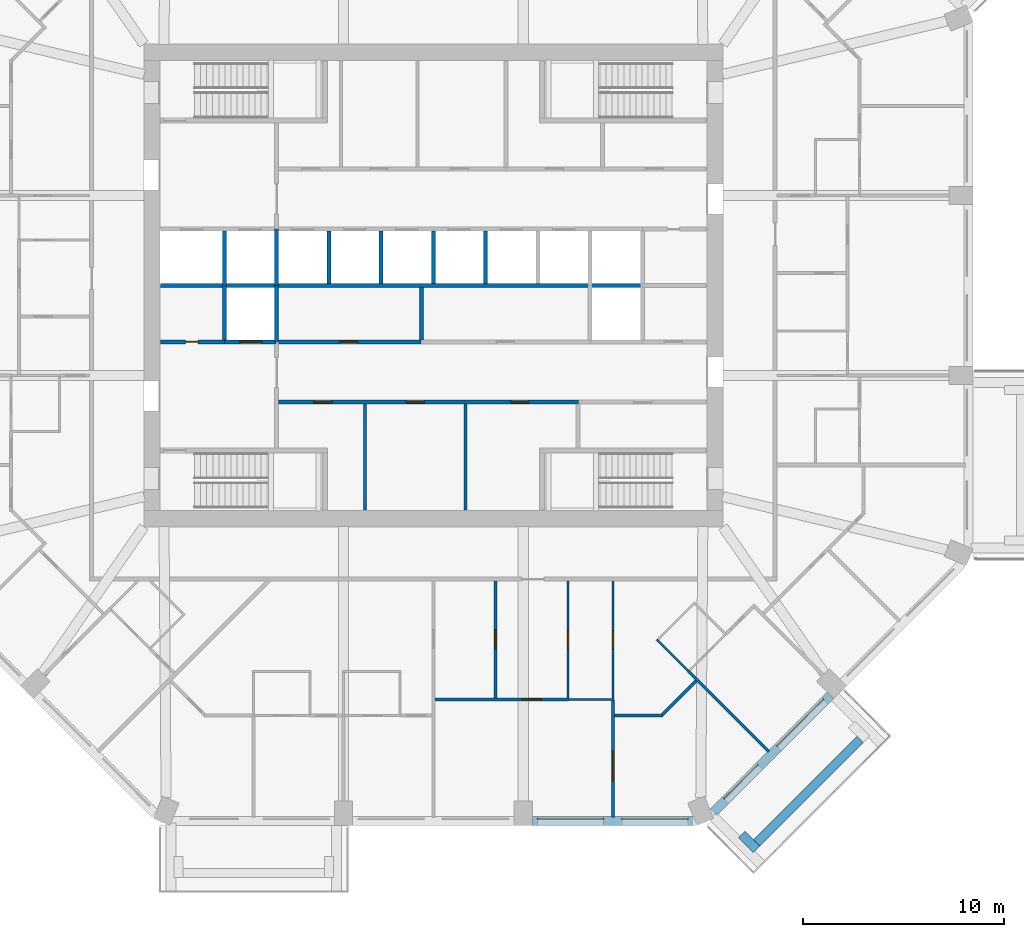
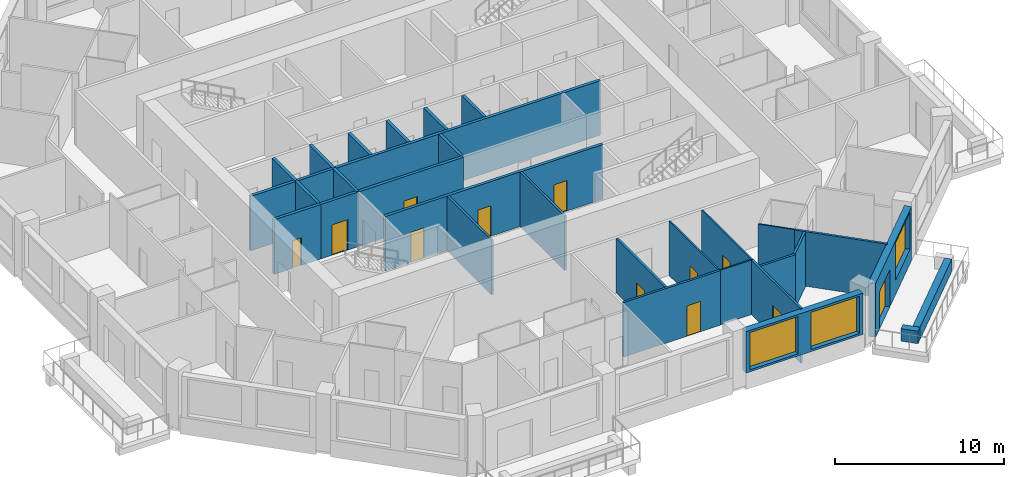
# One storey, part 5 of 12: 30 walls, 12 doors, 3 windows, 15 openings.
"""IFC4 building model written with IfcOpenShell, lengths in metres."""

from ifc_helpers import new_model, si_unit, direction, frame, frame_2d, origin, place, context, subcontext, project, spatial, rectangle, extrude, material, layer, layer_set, type_object, element, fill, save


model = new_model("IFC4")

# Units and contexts
model_context = context("Model", 3, precision=1e-05, world=origin(), true_north=direction((0.0, 1.0)))
body_context = subcontext(model_context, "Body", "Model", "MODEL_VIEW")
ifc_project = project(units=[si_unit("LENGTHUNIT", "METRE"), si_unit("AREAUNIT", "SQUARE_METRE"), si_unit("VOLUMEUNIT", "CUBIC_METRE"), si_unit("PLANEANGLEUNIT", "RADIAN"), si_unit("MASSUNIT", "GRAM", prefix="KILO")], contexts=[model_context])

# Site, building, storey
site_placement = place(None, origin())
site = spatial("IfcSite", under=ifc_project, at=site_placement, CompositionType="ELEMENT")
building_placement = place(site_placement, origin())
building = spatial("IfcBuilding", under=site, at=building_placement, Name="Msitu Wima Residences", CompositionType="ELEMENT")
storey_placement = place(building_placement, frame((0.0, 0.0, 127.5)))
storey = spatial("IfcBuildingStorey", under=building, at=storey_placement, Name="L29", CompositionType="ELEMENT", Elevation=127.5)

# Walls
ifc_material_1 = material(Name="Facing brick")
ifc_layer_1 = layer(ifc_material_1, 0.06494140625, Name="Facing brick")
ifc_material_2 = material(Name="Concrete C40/50", Category="concrete")
ifc_layer_2 = layer(ifc_material_2, 0.156005859375, Name="Concrete C40/50")
ifc_material_3 = material(Name="Waterproofing membrane")
ifc_layer_3 = layer(ifc_material_3, 0.00390625, Name="Waterproofing membrane")
ifc_material_4 = material(Name="Planting soil and planting")
ifc_layer_4 = layer(ifc_material_4, 0.22509765625, Name="Planting soil and planting")
ifc_layer_set_1 = layer_set([ifc_layer_1, ifc_layer_2, ifc_layer_3, ifc_layer_4], Name="Concrete C40/50")
wall_type_1 = type_object("IfcWallType", Name="Balcony planter PLANTER PL450", PredefinedType="USERDEFINED", material=ifc_layer_set_1)
wall_1_placement = place(storey_placement, frame((16.0751953125, -27.725830078125, 0.0), z_axis=(0.0, 0.0, 1.0), x_axis=(0.707106781187, 0.707106781187, 0.0)))
element("IfcWall", 1, at=wall_1_placement, inside=storey, type_object=wall_type_1, Name="Balcony planter SE0 L29", ObjectType="PLANTER", PredefinedType="USERDEFINED", context=body_context, shape_type="SweptSolid", body=[
    extrude(rectangle(XDim=7.288330078125, YDim=0.449951171875, at=frame_2d((3.64404296875, 0.0))), origin(), (0.0, 0.0, 1.0), 0.89990234375),
])
wall_2_placement = place(storey_placement, frame((15.332763671875, -27.301513671875, 0.0), z_axis=(0.0, 0.0, 1.0), x_axis=(0.707106781187, -0.707106781187, 0.0)))
element("IfcWall", 2, at=wall_2_placement, inside=storey, type_object=wall_type_1, Name="Balcony planter SE0 L29", ObjectType="PLANTER", PredefinedType="USERDEFINED", context=body_context, shape_type="SweptSolid", body=[
    extrude(rectangle(XDim=1.050048828125, YDim=0.449951171875, at=frame_2d((0.52490234375, 0.0))), origin(), (0.0, 0.0, 1.0), 0.89990234375),
])

# Wall, openings, windows
ifc_material_5 = material(Name="Brick (red buff mix)", Category="masonry")
ifc_layer_5 = layer(ifc_material_5, 0.449951171875)
ifc_layer_set_2 = layer_set([ifc_layer_5], Name="Brick (red buff mix)")
wall_type_2 = type_object("IfcWallType", Name="Brick infill wall BW450", PredefinedType="SOLIDWALL", material=ifc_layer_set_2)
wall_3_placement = place(storey_placement, frame((4.918701171875, -26.625, 0.89990234375), z_axis=(0.0, 0.0, 1.0), x_axis=(1.0, 0.0, 0.0)))
wall_3 = element("IfcWall", 3, at=wall_3_placement, inside=storey, type_object=wall_type_2, Name="Brick infill wall L29 S2", PredefinedType="SOLIDWALL", context=body_context, shape_type="SweptSolid", body=[
    extrude(rectangle(XDim=8.0, YDim=0.449951171875, at=frame_2d((4.0, 0.0))), origin(), (0.0, 0.0, 1.0), 3.0),
])
opening_1_placement = place(wall_3_placement, frame((0.25, 0.0, 0.14990234375)))
opening_1 = element("IfcOpeningElement", 4, at=opening_1_placement, cuts=wall_3, Name="Opening W27-29.020", PredefinedType="OPENING", context=body_context, shape_type="SweptSolid", body=[
    extrude(rectangle(XDim=3.300048828125, YDim=2.699951171875, at=frame_2d((1.64990234375, 1.35009765625))), frame((0.0, 0.23486328125, 0.0), z_axis=(0.0, -1.0, 0.0), x_axis=(1.0, 0.0, 0.0)), (0.0, 0.0, 1.0), 0.469970703125),
])
opening_2_placement = place(wall_3_placement, frame((4.4501953125, 0.0, 0.14990234375)))
opening_2 = element("IfcOpeningElement", 5, at=opening_2_placement, cuts=wall_3, Name="Opening W27-29.021", PredefinedType="OPENING", context=body_context, shape_type="SweptSolid", body=[
    extrude(rectangle(XDim=3.300048828125, YDim=2.699951171875, at=frame_2d((1.64990234375, 1.35009765625))), frame((0.0, 0.23486328125, 0.0), z_axis=(0.0, -1.0, 0.0), x_axis=(1.0, 0.0, 0.0)), (0.0, 0.0, 1.0), 0.469970703125),
])
ifc_material_6 = material(Name="Anodised aluminium, bronze finish, clear low-emissivity double glazing", Category="aluminium")
window_type = type_object("IfcWindowType", Name="Window W3300x2700", PartitioningType="DOUBLE_PANEL_VERTICAL", PredefinedType="WINDOW", material=ifc_material_6)
window_1_placement = place(opening_1_placement, origin())
window_1 = element("IfcWindow", 6, at=window_1_placement, inside=storey, type_object=window_type, Name="Window L29 S2.1", OverallHeight=2.699951171875, OverallWidth=3.300048828125, PartitioningType="SINGLE_PANEL", PredefinedType="WINDOW", context=body_context, shape_type="SweptSolid", body=[
    extrude(rectangle(XDim=3.300048828125, YDim=2.699951171875, at=frame_2d((1.64990234375, 1.35009765625))), frame((0.0, 0.135009765625, 0.0), z_axis=(0.0, -1.0, 0.0), x_axis=(1.0, 0.0, 0.0)), (0.0, 0.0, 1.0), 0.06005859375),
])
fill(opening_1, window_1)
window_2_placement = place(opening_2_placement, origin())
window_2 = element("IfcWindow", 7, at=window_2_placement, inside=storey, type_object=window_type, Name="Window L29 S2.2", OverallHeight=2.699951171875, OverallWidth=3.300048828125, PartitioningType="SINGLE_PANEL", PredefinedType="WINDOW", context=body_context, shape_type="SweptSolid", body=[
    extrude(rectangle(XDim=3.300048828125, YDim=2.699951171875, at=frame_2d((1.64990234375, 1.35009765625))), frame((0.0, 0.135009765625, 0.0), z_axis=(0.0, -1.0, 0.0), x_axis=(1.0, 0.0, 0.0)), (0.0, 0.0, 1.0), 0.06005859375),
])
fill(opening_2, window_2)

# Wall, openings, door, window
wall_4_placement = place(storey_placement, frame((13.909423828125, -26.214599609375, 0.0), z_axis=(0.0, 0.0, 1.0), x_axis=(0.707106781187, 0.707106781187, 0.0)))
wall_4 = element("IfcWall", 8, at=wall_4_placement, inside=storey, type_object=wall_type_2, Name="Brick infill wall L29 SE0", PredefinedType="SOLIDWALL", context=body_context, shape_type="SweptSolid", body=[
    extrude(rectangle(XDim=8.251220703125, YDim=0.449951171875, at=frame_2d((4.12548828125, 0.0))), origin(), (0.0, 0.0, 1.0), 3.89990234375),
])
opening_3_placement = place(wall_4_placement, frame((0.86279296875, 0.0, 0.0)))
opening_3 = element("IfcOpeningElement", 9, at=opening_3_placement, cuts=wall_4, Name="Opening D27-29.006", PredefinedType="OPENING", context=body_context, shape_type="SweptSolid", body=[
    extrude(rectangle(XDim=2.39990234375, YDim=2.699951171875, at=frame_2d((1.199951171875, 1.35009765625))), frame((0.0, 0.23486328125, 0.0), z_axis=(0.0, -1.0, 0.0), x_axis=(1.0, 0.0, 0.0)), (0.0, 0.0, 1.0), 0.469970703125),
])
opening_4_placement = place(wall_4_placement, frame((4.57568359375, 0.0, 1.050048828125)))
opening_4 = element("IfcOpeningElement", 10, at=opening_4_placement, cuts=wall_4, Name="Opening W27-29.022", PredefinedType="OPENING", context=body_context, shape_type="SweptSolid", body=[
    extrude(rectangle(XDim=3.300048828125, YDim=2.699951171875, at=frame_2d((1.64990234375, 1.35009765625))), frame((0.0, 0.23486328125, 0.0), z_axis=(0.0, -1.0, 0.0), x_axis=(1.0, 0.0, 0.0)), (0.0, 0.0, 1.0), 0.469970703125),
])
door_type_1 = type_object("IfcDoorType", Name="Balcony door D2400x2700", OperationType="SLIDING_TO_LEFT", PredefinedType="DOOR", material=ifc_material_6)
door_1_placement = place(opening_3_placement, origin())
door_1 = element("IfcDoor", 11, at=door_1_placement, inside=storey, type_object=door_type_1, Name="Balcony door L29 SE0", OperationType="SINGLE_SWING_LEFT", OverallHeight=2.699951171875, OverallWidth=2.39990234375, PredefinedType="DOOR", context=body_context, shape_type="SweptSolid", body=[
    extrude(rectangle(XDim=2.39990234375, YDim=2.699951171875, at=frame_2d((1.199951171875, 1.35009765625))), frame((0.0, 0.1298828125, 0.0), z_axis=(0.0, -1.0, 0.0), x_axis=(1.0, 0.0, 0.0)), (0.0, 0.0, 1.0), 0.050048828125),
])
fill(opening_3, door_1)
window_3_placement = place(opening_4_placement, origin())
window_3 = element("IfcWindow", 12, at=window_3_placement, inside=storey, type_object=window_type, Name="Window L29 SE0.2", OverallHeight=2.699951171875, OverallWidth=3.300048828125, PartitioningType="SINGLE_PANEL", PredefinedType="WINDOW", context=body_context, shape_type="SweptSolid", body=[
    extrude(rectangle(XDim=3.300048828125, YDim=2.699951171875, at=frame_2d((1.64990234375, 1.35009765625))), frame((0.0, 0.135009765625, 0.0), z_axis=(0.0, -1.0, 0.0), x_axis=(1.0, 0.0, 0.0)), (0.0, 0.0, 1.0), 0.06005859375),
])
fill(opening_4, window_3)

# Wall, opening, door
ifc_material_7 = material(Name="Plaster")
ifc_layer_6 = layer(ifc_material_7, 0.011962890625, Name="Plaster")
ifc_material_8 = material(Name="Concrete blockwork", Category="masonry")
ifc_layer_7 = layer(ifc_material_8, 0.176025390625, Name="Concrete blockwork")
ifc_layer_8 = layer(ifc_material_7, 0.011962890625, Name="Plaster")
ifc_layer_set_3 = layer_set([ifc_layer_6, ifc_layer_7, ifc_layer_8], Name="Concrete blockwork")
wall_type_3 = type_object("IfcWallType", Name="Corridor wall FW200", PredefinedType="PARTITIONING", material=ifc_layer_set_3)
wall_5_placement = place(storey_placement, frame((-7.820068359375, -2.800048828125, 0.0), z_axis=(0.0, 0.0, 1.0), x_axis=(1.0, 0.0, 0.0)))
wall_5 = element("IfcWall", 13, at=wall_5_placement, inside=storey, type_object=wall_type_3, Name="Corridor wall", PredefinedType="PARTITIONING", context=body_context, shape_type="SweptSolid", body=[
    extrude(rectangle(XDim=7.199951171875, YDim=0.199951171875, at=frame_2d((3.60009765625, 0.0))), origin(), (0.0, 0.0, 1.0), 3.949951171875),
])
opening_5_placement = place(wall_5_placement, frame((3.14990234375, 0.0, 0.0)))
opening_5 = element("IfcOpeningElement", 14, at=opening_5_placement, cuts=wall_5, Name="Opening D27-29.029", PredefinedType="OPENING", context=body_context, shape_type="SweptSolid", body=[
    extrude(rectangle(XDim=0.89990234375, YDim=2.199951171875, at=frame_2d((0.449951171875, 1.10009765625))), frame((0.0, 0.10986328125, 0.0), z_axis=(0.0, -1.0, 0.0), x_axis=(1.0, 0.0, 0.0)), (0.0, 0.0, 1.0), 0.219970703125),
])
ifc_material_9 = material(Name="Timber flush door", Category="wood")
door_type_2 = type_object("IfcDoorType", Name="Service door D05 900x2200", OperationType="SINGLE_SWING_LEFT", PredefinedType="DOOR", material=ifc_material_9)
door_2_placement = place(opening_5_placement, origin())
door_2 = element("IfcDoor", 15, at=door_2_placement, inside=storey, type_object=door_type_2, Name="Service door", OperationType="SINGLE_SWING_LEFT", OverallHeight=2.199951171875, OverallWidth=0.89990234375, PredefinedType="DOOR", context=body_context, shape_type="SweptSolid", body=[
    extrude(rectangle(XDim=0.89990234375, YDim=2.199951171875, at=frame_2d((0.449951171875, 1.10009765625))), frame((0.0, 0.02490234375, 0.0), z_axis=(0.0, -1.0, 0.0), x_axis=(1.0, 0.0, 0.0)), (0.0, 0.0, 1.0), 0.050048828125),
])
fill(opening_5, door_2)

# Wall, openings, doors
wall_6_placement = place(storey_placement, frame((-7.699951171875, -5.800048828125, 0.0), z_axis=(0.0, 0.0, 1.0), x_axis=(1.0, 0.0, 0.0)))
wall_6 = element("IfcWall", 16, at=wall_6_placement, inside=storey, type_object=wall_type_3, Name="Corridor wall", PredefinedType="PARTITIONING", context=body_context, shape_type="SweptSolid", body=[
    extrude(rectangle(XDim=14.919921875, YDim=0.199951171875, at=frame_2d((7.4599609375, 0.0))), origin(), (0.0, 0.0, 1.0), 3.949951171875),
])
opening_6_placement = place(wall_6_placement, frame((1.75, 0.0, 0.0)))
opening_6 = element("IfcOpeningElement", 17, at=opening_6_placement, cuts=wall_6, Name="Opening D27-29.021", PredefinedType="OPENING", context=body_context, shape_type="SweptSolid", body=[
    extrude(rectangle(XDim=0.89990234375, YDim=2.199951171875, at=frame_2d((0.449951171875, 1.10009765625))), frame((0.0, 0.10986328125, 0.0), z_axis=(0.0, -1.0, 0.0), x_axis=(1.0, 0.0, 0.0)), (0.0, 0.0, 1.0), 0.219970703125),
])
opening_7_placement = place(wall_6_placement, frame((6.35009765625, 0.0, 0.0)))
opening_7 = element("IfcOpeningElement", 18, at=opening_7_placement, cuts=wall_6, Name="Opening D27-29.022", PredefinedType="OPENING", context=body_context, shape_type="SweptSolid", body=[
    extrude(rectangle(XDim=0.89990234375, YDim=2.199951171875, at=frame_2d((0.449951171875, 1.10009765625))), frame((0.0, 0.10986328125, 0.0), z_axis=(0.0, -1.0, 0.0), x_axis=(1.0, 0.0, 0.0)), (0.0, 0.0, 1.0), 0.219970703125),
])
opening_8_placement = place(wall_6_placement, frame((11.550048828125, 0.0, 0.0)))
opening_8 = element("IfcOpeningElement", 19, at=opening_8_placement, cuts=wall_6, Name="Opening D27-29.023", PredefinedType="OPENING", context=body_context, shape_type="SweptSolid", body=[
    extrude(rectangle(XDim=0.89990234375, YDim=2.199951171875, at=frame_2d((0.449951171875, 1.10009765625))), frame((0.0, 0.10986328125, 0.0), z_axis=(0.0, -1.0, 0.0), x_axis=(1.0, 0.0, 0.0)), (0.0, 0.0, 1.0), 0.219970703125),
])
door_3_placement = place(opening_6_placement, origin())
door_3 = element("IfcDoor", 20, at=door_3_placement, inside=storey, type_object=door_type_2, Name="Service door", OperationType="SINGLE_SWING_LEFT", OverallHeight=2.199951171875, OverallWidth=0.89990234375, PredefinedType="DOOR", context=body_context, shape_type="SweptSolid", body=[
    extrude(rectangle(XDim=0.89990234375, YDim=2.199951171875, at=frame_2d((0.449951171875, 1.10009765625))), frame((0.0, 0.02490234375, 0.0), z_axis=(0.0, -1.0, 0.0), x_axis=(1.0, 0.0, 0.0)), (0.0, 0.0, 1.0), 0.050048828125),
])
fill(opening_6, door_3)
door_4_placement = place(opening_7_placement, origin())
door_4 = element("IfcDoor", 21, at=door_4_placement, inside=storey, type_object=door_type_2, Name="Service door", OperationType="SINGLE_SWING_RIGHT", OverallHeight=2.199951171875, OverallWidth=0.89990234375, PredefinedType="DOOR", context=body_context, shape_type="SweptSolid", body=[
    extrude(rectangle(XDim=0.89990234375, YDim=2.199951171875, at=frame_2d((0.449951171875, 1.10009765625))), frame((0.0, 0.02490234375, 0.0), z_axis=(0.0, -1.0, 0.0), x_axis=(1.0, 0.0, 0.0)), (0.0, 0.0, 1.0), 0.050048828125),
])
fill(opening_7, door_4)
door_5_placement = place(opening_8_placement, origin())
door_5 = element("IfcDoor", 22, at=door_5_placement, inside=storey, type_object=door_type_2, Name="Service door", OperationType="SINGLE_SWING_RIGHT", OverallHeight=2.199951171875, OverallWidth=0.89990234375, PredefinedType="DOOR", context=body_context, shape_type="SweptSolid", body=[
    extrude(rectangle(XDim=0.89990234375, YDim=2.199951171875, at=frame_2d((0.449951171875, 1.10009765625))), frame((0.0, 0.02490234375, 0.0), z_axis=(0.0, -1.0, 0.0), x_axis=(1.0, 0.0, 0.0)), (0.0, 0.0, 1.0), 0.050048828125),
])
fill(opening_8, door_5)

# Wall
ifc_layer_9 = layer(ifc_material_7, 0.011962890625, Name="Plaster")
ifc_layer_10 = layer(ifc_material_8, 0.1259765625, Name="Concrete blockwork")
ifc_layer_11 = layer(ifc_material_7, 0.011962890625, Name="Plaster")
ifc_layer_set_4 = layer_set([ifc_layer_9, ifc_layer_10, ifc_layer_11], Name="Concrete blockwork")
wall_type_4 = type_object("IfcWallType", Name="Partition PW150", PredefinedType="PARTITIONING", material=ifc_layer_set_4)
wall_7_placement = place(storey_placement, frame((-3.39990234375, -11.169921875, 0.0), z_axis=(0.0, 0.0, 1.0), x_axis=(0.0, 1.0, 0.0)))
element("IfcWall", 23, at=wall_7_placement, inside=storey, type_object=wall_type_4, Name="Partition", PredefinedType="PARTITIONING", context=body_context, shape_type="SweptSolid", body=[
    extrude(rectangle(XDim=5.27001953125, YDim=0.14990234375, at=frame_2d((2.635009765625, 0.0))), origin(), (0.0, 0.0, 1.0), 3.949951171875),
])

# Wall, opening, door
wall_8_placement = place(storey_placement, frame((0.074951171875, -20.60009765625, 0.0), z_axis=(0.0, 0.0, 1.0), x_axis=(1.0, 0.0, 0.0)))
wall_8 = element("IfcWall", 24, at=wall_8_placement, inside=storey, type_object=wall_type_4, Name="Partition", PredefinedType="PARTITIONING", context=body_context, shape_type="SweptSolid", body=[
    extrude(rectangle(XDim=6.64501953125, YDim=0.14990234375, at=frame_2d((3.322509765625, 0.0))), origin(), (0.0, 0.0, 1.0), 3.949951171875),
])
opening_9_placement = place(wall_8_placement, frame((4.35009765625, 0.0, 0.0)))
opening_9 = element("IfcOpeningElement", 25, at=opening_9_placement, cuts=wall_8, Name="Opening D27-29.069", PredefinedType="OPENING", context=body_context, shape_type="SweptSolid", body=[
    extrude(rectangle(XDim=0.949951171875, YDim=2.199951171875, at=frame_2d((0.47509765625, 1.10009765625))), frame((0.0, 0.0849609375, 0.0), z_axis=(0.0, -1.0, 0.0), x_axis=(1.0, 0.0, 0.0)), (0.0, 0.0, 1.0), 0.169921875),
])
door_type_3 = type_object("IfcDoorType", Name="Room door D12 950x2200", OperationType="SINGLE_SWING_LEFT", PredefinedType="DOOR", material=ifc_material_9)
door_6_placement = place(opening_9_placement, origin())
door_6 = element("IfcDoor", 26, at=door_6_placement, inside=storey, type_object=door_type_3, Name="Room door", OperationType="SINGLE_SWING_LEFT", OverallHeight=2.199951171875, OverallWidth=0.949951171875, PredefinedType="DOOR", context=body_context, shape_type="SweptSolid", body=[
    extrude(rectangle(XDim=0.949951171875, YDim=2.199951171875, at=frame_2d((0.47509765625, 1.10009765625))), frame((0.0, 0.02490234375, 0.0), z_axis=(0.0, -1.0, 0.0), x_axis=(1.0, 0.0, 0.0)), (0.0, 0.0, 1.0), 0.050048828125),
])
fill(opening_9, door_6)

# Wall
wall_9_placement = place(storey_placement, frame((1.60009765625, -11.169921875, 0.0), z_axis=(0.0, 0.0, 1.0), x_axis=(0.0, 1.0, 0.0)))
element("IfcWall", 27, at=wall_9_placement, inside=storey, type_object=wall_type_4, Name="Partition", PredefinedType="PARTITIONING", context=body_context, shape_type="SweptSolid", body=[
    extrude(rectangle(XDim=5.27001953125, YDim=0.14990234375, at=frame_2d((2.635009765625, 0.0))), origin(), (0.0, 0.0, 1.0), 3.949951171875),
])

# Wall, opening, door
wall_10_placement = place(storey_placement, frame((3.10009765625, -20.52490234375, 0.0), z_axis=(0.0, 0.0, 1.0), x_axis=(0.0, 1.0, 0.0)))
wall_10 = element("IfcWall", 28, at=wall_10_placement, inside=storey, type_object=wall_type_4, Name="Partition", PredefinedType="PARTITIONING", context=body_context, shape_type="SweptSolid", body=[
    extrude(rectangle(XDim=5.824951171875, YDim=0.14990234375, at=frame_2d((2.91259765625, 0.0))), origin(), (0.0, 0.0, 1.0), 3.949951171875),
])
opening_10_placement = place(wall_10_placement, frame((2.449951171875, 0.0, 0.0)))
opening_10 = element("IfcOpeningElement", 29, at=opening_10_placement, cuts=wall_10, Name="Opening D27-29.072", PredefinedType="OPENING", context=body_context, shape_type="SweptSolid", body=[
    extrude(rectangle(XDim=0.949951171875, YDim=2.199951171875, at=frame_2d((0.47509765625, 1.10009765625))), frame((0.0, 0.0849609375, 0.0), z_axis=(0.0, -1.0, 0.0), x_axis=(1.0, 0.0, 0.0)), (0.0, 0.0, 1.0), 0.169921875),
])
door_7_placement = place(opening_10_placement, origin())
door_7 = element("IfcDoor", 30, at=door_7_placement, inside=storey, type_object=door_type_3, Name="Room door", OperationType="SINGLE_SWING_RIGHT", OverallHeight=2.199951171875, OverallWidth=0.949951171875, PredefinedType="DOOR", context=body_context, shape_type="SweptSolid", body=[
    extrude(rectangle(XDim=0.949951171875, YDim=2.199951171875, at=frame_2d((0.47509765625, 1.10009765625))), frame((0.0, 0.02490234375, 0.0), z_axis=(0.0, -1.0, 0.0), x_axis=(1.0, 0.0, 0.0)), (0.0, 0.0, 1.0), 0.050048828125),
])
fill(opening_10, door_7)

wall_11_placement = place(storey_placement, frame((8.937255859375, -26.455078125, 0.0), z_axis=(0.0, 0.0, 1.0), x_axis=(0.0, 1.0, 0.0)))
wall_11 = element("IfcWall", 31, at=wall_11_placement, inside=storey, type_object=wall_type_4, Name="Partition", PredefinedType="PARTITIONING", context=body_context, shape_type="SweptSolid", body=[
    extrude(rectangle(XDim=5.8349609375, YDim=0.14990234375, at=frame_2d((2.91748046875, 0.0))), origin(), (0.0, 0.0, 1.0), 3.949951171875),
])
opening_11_placement = place(wall_11_placement, frame((1.800048828125, 0.0, 0.0)))
opening_11 = element("IfcOpeningElement", 32, at=opening_11_placement, cuts=wall_11, Name="Opening D27-29.071", PredefinedType="OPENING", context=body_context, shape_type="SweptSolid", body=[
    extrude(rectangle(XDim=1.5, YDim=2.199951171875, at=frame_2d((0.75, 1.10009765625))), frame((0.0, 0.0849609375, 0.0), z_axis=(0.0, -1.0, 0.0), x_axis=(1.0, 0.0, 0.0)), (0.0, 0.0, 1.0), 0.169921875),
])
ifc_material_10 = material(Name="Timber double door", Category="wood")
door_type_4 = type_object("IfcDoorType", Name="Double door D04 1500x2200", OperationType="DOUBLE_DOOR_SINGLE_SWING", PredefinedType="DOOR", material=ifc_material_10)
door_8_placement = place(opening_11_placement, origin())
door_8 = element("IfcDoor", 33, at=door_8_placement, inside=storey, type_object=door_type_4, Name="Double door", OperationType="DOUBLE_DOOR_SINGLE_SWING", OverallHeight=2.199951171875, OverallWidth=1.5, PredefinedType="DOOR", context=body_context, shape_type="SweptSolid", body=[
    extrude(rectangle(XDim=1.5, YDim=2.199951171875, at=frame_2d((0.75, 1.10009765625))), frame((0.0, 0.02490234375, 0.0), z_axis=(0.0, -1.0, 0.0), x_axis=(1.0, 0.0, 0.0)), (0.0, 0.0, 1.0), 0.050048828125),
])
fill(opening_11, door_8)

# Walls
wall_12_placement = place(storey_placement, frame((9.01220703125, -21.39990234375, 0.0), z_axis=(0.0, 0.0, 1.0), x_axis=(1.0, 0.0, 0.0)))
element("IfcWall", 34, at=wall_12_placement, inside=storey, type_object=wall_type_4, Name="Partition", PredefinedType="PARTITIONING", context=body_context, shape_type="SweptSolid", body=[
    extrude(rectangle(XDim=2.397705078125, YDim=0.14990234375, at=frame_2d((1.19873046875, 0.0))), origin(), (0.0, 0.0, 1.0), 3.949951171875),
])
wall_13_placement = place(storey_placement, frame((11.387939453125, -21.346923828125, 0.0), z_axis=(0.0, 0.0, 1.0), x_axis=(0.707106781187, 0.707106781187, 0.0)))
element("IfcWall", 35, at=wall_13_placement, inside=storey, type_object=wall_type_4, Name="Partition", PredefinedType="PARTITIONING", context=body_context, shape_type="SweptSolid", body=[
    extrude(rectangle(XDim=2.373046875, YDim=0.14990234375, at=frame_2d((1.1865234375, 0.0))), origin(), (0.0, 0.0, 1.0), 3.949951171875),
])
wall_14_placement = place(storey_placement, frame((12.680419921875, -19.177490234375, 0.0), z_axis=(0.0, 0.0, 1.0), x_axis=(0.707106781187, -0.707106781187, 0.0)))
element("IfcWall", 36, at=wall_14_placement, inside=storey, type_object=wall_type_4, Name="Partition", PredefinedType="PARTITIONING", context=body_context, shape_type="SweptSolid", body=[
    extrude(rectangle(XDim=5.675048828125, YDim=0.14990234375, at=frame_2d((2.83740234375, 0.0))), origin(), (0.0, 0.0, 1.0), 3.949951171875),
])

# Wall, opening, door
ifc_layer_12 = layer(ifc_material_7, 0.011962890625, Name="Plaster")
ifc_material_11 = material(Name="Reinforced concrete blockwork", Category="masonry")
ifc_layer_13 = layer(ifc_material_11, 0.176025390625, Name="Reinforced concrete blockwork")
ifc_layer_14 = layer(ifc_material_7, 0.011962890625, Name="Plaster")
ifc_layer_set_5 = layer_set([ifc_layer_12, ifc_layer_13, ifc_layer_14], Name="Reinforced concrete blockwork")
wall_type_5 = type_object("IfcWallType", Name="Plant and riser wall PL200", PredefinedType="PARTITIONING", material=ifc_layer_set_5)
wall_15_placement = place(storey_placement, frame((-13.570068359375, -2.800048828125, 0.0), z_axis=(0.0, 0.0, 1.0), x_axis=(1.0, 0.0, 0.0)))
wall_15 = element("IfcWall", 37, at=wall_15_placement, inside=storey, type_object=wall_type_5, Name="Plant and riser wall", PredefinedType="PARTITIONING", context=body_context, shape_type="SweptSolid", body=[
    extrude(rectangle(XDim=3.190185546875, YDim=0.199951171875, at=frame_2d((1.59521484375, 0.0))), origin(), (0.0, 0.0, 1.0), 3.949951171875),
])
opening_12_placement = place(wall_15_placement, frame((1.25, 0.0, 0.0)))
opening_12 = element("IfcOpeningElement", 38, at=opening_12_placement, cuts=wall_15, Name="Opening D27-29.028", PredefinedType="OPENING", context=body_context, shape_type="SweptSolid", body=[
    extrude(rectangle(XDim=0.60009765625, YDim=2.0, at=frame_2d((0.300048828125, 1.0))), frame((0.0, 0.10986328125, 0.0), z_axis=(0.0, -1.0, 0.0), x_axis=(1.0, 0.0, 0.0)), (0.0, 0.0, 1.0), 0.219970703125),
])
ifc_material_12 = material(Name="Steel access door, fire resisting", Category="steel")
door_type_5 = type_object("IfcDoorType", Name="Riser access door D08 600x2000", OperationType="SINGLE_SWING_LEFT", PredefinedType="DOOR", material=ifc_material_12)
door_9_placement = place(opening_12_placement, origin())
door_9 = element("IfcDoor", 39, at=door_9_placement, inside=storey, type_object=door_type_5, Name="Riser access door", OperationType="SINGLE_SWING_RIGHT", OverallHeight=2.0, OverallWidth=0.60009765625, PredefinedType="DOOR", context=body_context, shape_type="SweptSolid", body=[
    extrude(rectangle(XDim=0.60009765625, YDim=2.0, at=frame_2d((0.300048828125, 1.0))), frame((0.0, 0.02490234375, 0.0), z_axis=(0.0, -1.0, 0.0), x_axis=(1.0, 0.0, 0.0)), (0.0, 0.0, 1.0), 0.050048828125),
])
fill(opening_12, door_9)

# Walls
wall_16_placement = place(storey_placement, frame((-0.60009765625, -2.699951171875, 0.0), z_axis=(0.0, 0.0, 1.0), x_axis=(0.0, 1.0, 0.0)))
element("IfcWall", 40, at=wall_16_placement, inside=storey, type_object=wall_type_5, Name="Plant and riser wall", PredefinedType="PARTITIONING", context=body_context, shape_type="SweptSolid", body=[
    extrude(rectangle(XDim=2.599853515625, YDim=0.199951171875, at=frame_2d((1.2998046875, 0.0))), origin(), (0.0, 0.0, 1.0), 3.949951171875),
])
ifc_material_13 = material(Name="Fire-rated board")
ifc_layer_15 = layer(ifc_material_13, 0.02490234375, Name="Fire-rated board")
ifc_material_14 = material(Name="Light-gauge stud framing with mineral wool")
ifc_layer_16 = layer(ifc_material_14, 0.14990234375, Name="Light-gauge stud framing with mineral wool")
ifc_layer_17 = layer(ifc_material_13, 0.02490234375, Name="Fire-rated board")
ifc_layer_set_6 = layer_set([ifc_layer_15, ifc_layer_16, ifc_layer_17], Name="Light-gauge stud framing with mineral wool")
wall_type_6 = type_object("IfcWallType", Name="Shaft wall SH200", PredefinedType="PARTITIONING", material=ifc_layer_set_6)
wall_17_placement = place(storey_placement, frame((-13.570068359375, 0.0, 0.0), z_axis=(0.0, 0.0, 1.0), x_axis=(1.0, 0.0, 0.0)))
element("IfcWall", 41, at=wall_17_placement, inside=storey, type_object=wall_type_6, Name="Shaft wall", PredefinedType="PARTITIONING", context=body_context, shape_type="SweptSolid", body=[
    extrude(rectangle(XDim=23.969970703125, YDim=0.199951171875, at=frame_2d((11.98486328125, 0.0))), origin(), (0.0, 0.0, 1.0), 3.949951171875),
])
wall_18_placement = place(storey_placement, frame((-10.39990234375, -2.699951171875, 0.0), z_axis=(0.0, 0.0, 1.0), x_axis=(0.0, 1.0, 0.0)))
element("IfcWall", 42, at=wall_18_placement, inside=storey, type_object=wall_type_6, Name="Shaft wall", PredefinedType="PARTITIONING", context=body_context, shape_type="SweptSolid", body=[
    extrude(rectangle(XDim=2.699951171875, YDim=0.199951171875, at=frame_2d((1.35009765625, 0.0))), origin(), (0.0, 0.0, 1.0), 3.949951171875),
])

# Wall, opening, door
wall_19_placement = place(storey_placement, frame((-10.3798828125, -2.800048828125, 0.0), z_axis=(0.0, 0.0, 1.0), x_axis=(1.0, 0.0, 0.0)))
wall_19 = element("IfcWall", 43, at=wall_19_placement, inside=storey, type_object=wall_type_6, Name="Shaft wall", PredefinedType="PARTITIONING", context=body_context, shape_type="SweptSolid", body=[
    extrude(rectangle(XDim=2.559814453125, YDim=0.199951171875, at=frame_2d((1.27978515625, 0.0))), origin(), (0.0, 0.0, 1.0), 3.949951171875),
])
opening_13_placement = place(wall_19_placement, frame((0.75, 0.0, 0.0)))
opening_13 = element("IfcOpeningElement", 44, at=opening_13_placement, cuts=wall_19, Name="Opening LD", PredefinedType="OPENING", context=body_context, shape_type="SweptSolid", body=[
    extrude(rectangle(XDim=1.10009765625, YDim=2.199951171875, at=frame_2d((0.550048828125, 1.10009765625))), frame((0.0, 0.10986328125, 0.0), z_axis=(0.0, -1.0, 0.0), x_axis=(1.0, 0.0, 0.0)), (0.0, 0.0, 1.0), 0.219970703125),
])
ifc_material_15 = material(Name="Stainless steel centre-opening landing door, rated", Category="steel")
door_type_6 = type_object("IfcDoorType", Name="Lift landing door LD 1100x2200", OperationType="DOUBLE_DOOR_SLIDING", PredefinedType="DOOR", material=ifc_material_15)
door_10_placement = place(opening_13_placement, origin())
door_10 = element("IfcDoor", 45, at=door_10_placement, inside=storey, type_object=door_type_6, Name="Lift landing door LD3", OperationType="DOUBLE_DOOR_SLIDING", OverallHeight=2.199951171875, OverallWidth=1.10009765625, PredefinedType="DOOR", context=body_context, shape_type="SweptSolid", body=[
    extrude(rectangle(XDim=1.10009765625, YDim=2.199951171875, at=frame_2d((0.550048828125, 1.10009765625))), frame((0.0, 0.02490234375, 0.0), z_axis=(0.0, -1.0, 0.0), x_axis=(1.0, 0.0, 0.0)), (0.0, 0.0, 1.0), 0.050048828125),
])
fill(opening_13, door_10)

# Walls
wall_20_placement = place(storey_placement, frame((-10.39990234375, 0.0, 0.0), z_axis=(0.0, 0.0, 1.0), x_axis=(0.0, 1.0, 0.0)))
element("IfcWall", 46, at=wall_20_placement, inside=storey, type_object=wall_type_6, Name="Shaft wall", PredefinedType="PARTITIONING", context=body_context, shape_type="SweptSolid", body=[
    extrude(rectangle(XDim=2.699951171875, YDim=0.199951171875, at=frame_2d((1.35009765625, 0.0))), origin(), (0.0, 0.0, 1.0), 3.949951171875),
])
for number, where, z_axis, x_axis, name in (
    (47, (-7.800048828125, -2.800048828125, 0.0), (0.0, 0.0, 1.0), (0.0, 1.0, 0.0), "Shaft wall"),
    (48, (-7.800048828125, 0.0, 0.0), (0.0, 0.0, 1.0), (0.0, 1.0, 0.0), "Shaft wall"),
):
    element("IfcWall", number, at=place(storey_placement, frame(where, z_axis=z_axis, x_axis=x_axis)), inside=storey, type_object=wall_type_6, Name=name, PredefinedType="PARTITIONING", context=body_context, shape_type="SweptSolid", body=[
        extrude(rectangle(XDim=2.800048828125, YDim=0.199951171875, at=frame_2d((1.39990234375, 0.0))), origin(), (0.0, 0.0, 1.0), 3.949951171875),
    ])
for number, where, z_axis, x_axis, name in (
    (49, (-5.199951171875, 0.10009765625, 0.0), (0.0, 0.0, 1.0), (0.0, 1.0, 0.0), "Shaft wall"),
    (50, (-2.60009765625, 0.10009765625, 0.0), (0.0, 0.0, 1.0), (0.0, 1.0, 0.0), "Shaft wall"),
    (51, (0.0, 0.10009765625, 0.0), (0.0, 0.0, 1.0), (0.0, 1.0, 0.0), "Shaft wall"),
    (52, (2.60009765625, 0.10009765625, 0.0), (0.0, 0.0, 1.0), (0.0, 1.0, 0.0), "Shaft wall"),
):
    element("IfcWall", number, at=place(storey_placement, frame(where, z_axis=z_axis, x_axis=x_axis)), inside=storey, type_object=wall_type_6, Name=name, PredefinedType="PARTITIONING", context=body_context, shape_type="SweptSolid", body=[
        extrude(rectangle(XDim=2.599853515625, YDim=0.199951171875, at=frame_2d((1.2998046875, 0.0))), origin(), (0.0, 0.0, 1.0), 3.949951171875),
    ])
ifc_material_16 = material(Name="Ceramic tiles")
ifc_layer_18 = layer(ifc_material_16, 0.008056640625, Name="Ceramic tiles")
ifc_material_17 = material(Name="Moisture-resistant board")
ifc_layer_19 = layer(ifc_material_17, 0.012451171875, Name="Moisture-resistant board")
ifc_layer_20 = layer(ifc_material_14, 0.06689453125, Name="Light-gauge stud framing with mineral wool")
ifc_layer_21 = layer(ifc_material_17, 0.012451171875, Name="Moisture-resistant board")
ifc_layer_set_7 = layer_set([ifc_layer_18, ifc_layer_19, ifc_layer_20, ifc_layer_21], Name="Light-gauge stud framing with mineral wool")
wall_type_7 = type_object("IfcWallType", Name="Wet wall PW100", PredefinedType="PARTITIONING", material=ifc_layer_set_7)
wall_21_placement = place(storey_placement, frame((6.719970703125, -20.60009765625, 0.0), z_axis=(0.0, 0.0, 1.0), x_axis=(1.0, 0.0, 0.0)))
element("IfcWall", 53, at=wall_21_placement, inside=storey, type_object=wall_type_7, Name="Wet wall", PredefinedType="PARTITIONING", context=body_context, shape_type="SweptSolid", body=[
    extrude(rectangle(XDim=2.142333984375, YDim=0.10009765625, at=frame_2d((1.0712890625, 0.0))), origin(), (0.0, 0.0, 1.0), 3.949951171875),
])

# Wall, opening, door
wall_22_placement = place(storey_placement, frame((6.699951171875, -20.52490234375, 0.0), z_axis=(0.0, 0.0, 1.0), x_axis=(0.0, 1.0, 0.0)))
wall_22 = element("IfcWall", 54, at=wall_22_placement, inside=storey, type_object=wall_type_7, Name="Wet wall", PredefinedType="PARTITIONING", context=body_context, shape_type="SweptSolid", body=[
    extrude(rectangle(XDim=5.824951171875, YDim=0.10009765625, at=frame_2d((2.91259765625, 0.0))), origin(), (0.0, 0.0, 1.0), 3.949951171875),
])
opening_14_placement = place(wall_22_placement, frame((2.449951171875, 0.0, 0.0)))
opening_14 = element("IfcOpeningElement", 55, at=opening_14_placement, cuts=wall_22, Name="Opening D27-29.068", PredefinedType="OPENING", context=body_context, shape_type="SweptSolid", body=[
    extrude(rectangle(XDim=0.89990234375, YDim=2.199951171875, at=frame_2d((0.449951171875, 1.10009765625))), frame((0.0, 0.06005859375, 0.0), z_axis=(0.0, -1.0, 0.0), x_axis=(1.0, 0.0, 0.0)), (0.0, 0.0, 1.0), 0.1201171875),
])
ifc_material_18 = material(Name="Timber flush door, moisture resistant", Category="wood")
door_type_7 = type_object("IfcDoorType", Name="Bathroom door D03 900x2200", OperationType="SINGLE_SWING_LEFT", PredefinedType="DOOR", material=ifc_material_18)
door_11_placement = place(opening_14_placement, origin())
door_11 = element("IfcDoor", 56, at=door_11_placement, inside=storey, type_object=door_type_7, Name="Bathroom door", OperationType="SINGLE_SWING_RIGHT", OverallHeight=2.199951171875, OverallWidth=0.89990234375, PredefinedType="DOOR", context=body_context, shape_type="SweptSolid", body=[
    extrude(rectangle(XDim=0.89990234375, YDim=2.199951171875, at=frame_2d((0.449951171875, 1.10009765625))), frame((0.0, 0.02490234375, 0.0), z_axis=(0.0, -1.0, 0.0), x_axis=(1.0, 0.0, 0.0)), (0.0, 0.0, 1.0), 0.050048828125),
])
fill(opening_14, door_11)

wall_23_placement = place(storey_placement, frame((8.937255859375, -20.6201171875, 0.0), z_axis=(0.0, 0.0, 1.0), x_axis=(0.0, 1.0, 0.0)))
wall_23 = element("IfcWall", 57, at=wall_23_placement, inside=storey, type_object=wall_type_7, Name="Wet wall", PredefinedType="PARTITIONING", context=body_context, shape_type="SweptSolid", body=[
    extrude(rectangle(XDim=5.920166015625, YDim=0.10009765625, at=frame_2d((2.9599609375, 0.0))), origin(), (0.0, 0.0, 1.0), 3.949951171875),
])
opening_15_placement = place(wall_23_placement, frame((2.550048828125, 0.0, 0.0)))
opening_15 = element("IfcOpeningElement", 58, at=opening_15_placement, cuts=wall_23, Name="Opening D27-29.073", PredefinedType="OPENING", context=body_context, shape_type="SweptSolid", body=[
    extrude(rectangle(XDim=0.89990234375, YDim=2.199951171875, at=frame_2d((0.449951171875, 1.10009765625))), frame((0.0, 0.06005859375, 0.0), z_axis=(0.0, -1.0, 0.0), x_axis=(1.0, 0.0, 0.0)), (0.0, 0.0, 1.0), 0.1201171875),
])
door_12_placement = place(opening_15_placement, origin())
door_12 = element("IfcDoor", 59, at=door_12_placement, inside=storey, type_object=door_type_7, Name="Bathroom door", OperationType="SINGLE_SWING_RIGHT", OverallHeight=2.199951171875, OverallWidth=0.89990234375, PredefinedType="DOOR", context=body_context, shape_type="SweptSolid", body=[
    extrude(rectangle(XDim=0.89990234375, YDim=2.199951171875, at=frame_2d((0.449951171875, 1.10009765625))), frame((0.0, 0.02490234375, 0.0), z_axis=(0.0, -1.0, 0.0), x_axis=(1.0, 0.0, 0.0)), (0.0, 0.0, 1.0), 0.050048828125),
])
fill(opening_15, door_12)

# Wall
wall_24_placement = place(storey_placement, frame((11.103515625, -17.6005859375, 0.0), z_axis=(0.0, 0.0, 1.0), x_axis=(0.707106781187, -0.707106781187, 0.0)))
element("IfcWall", 60, at=wall_24_placement, inside=storey, type_object=wall_type_7, Name="Wet wall", PredefinedType="PARTITIONING", context=body_context, shape_type="SweptSolid", body=[
    extrude(rectangle(XDim=2.22998046875, YDim=0.10009765625, at=frame_2d((1.114990234375, 0.0))), origin(), (0.0, 0.0, 1.0), 3.949951171875),
])

save(model, "model.ifc")
